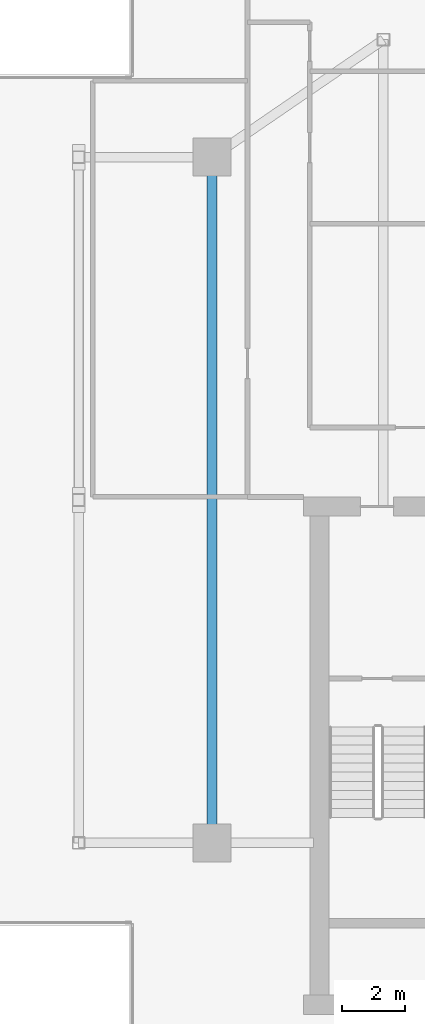
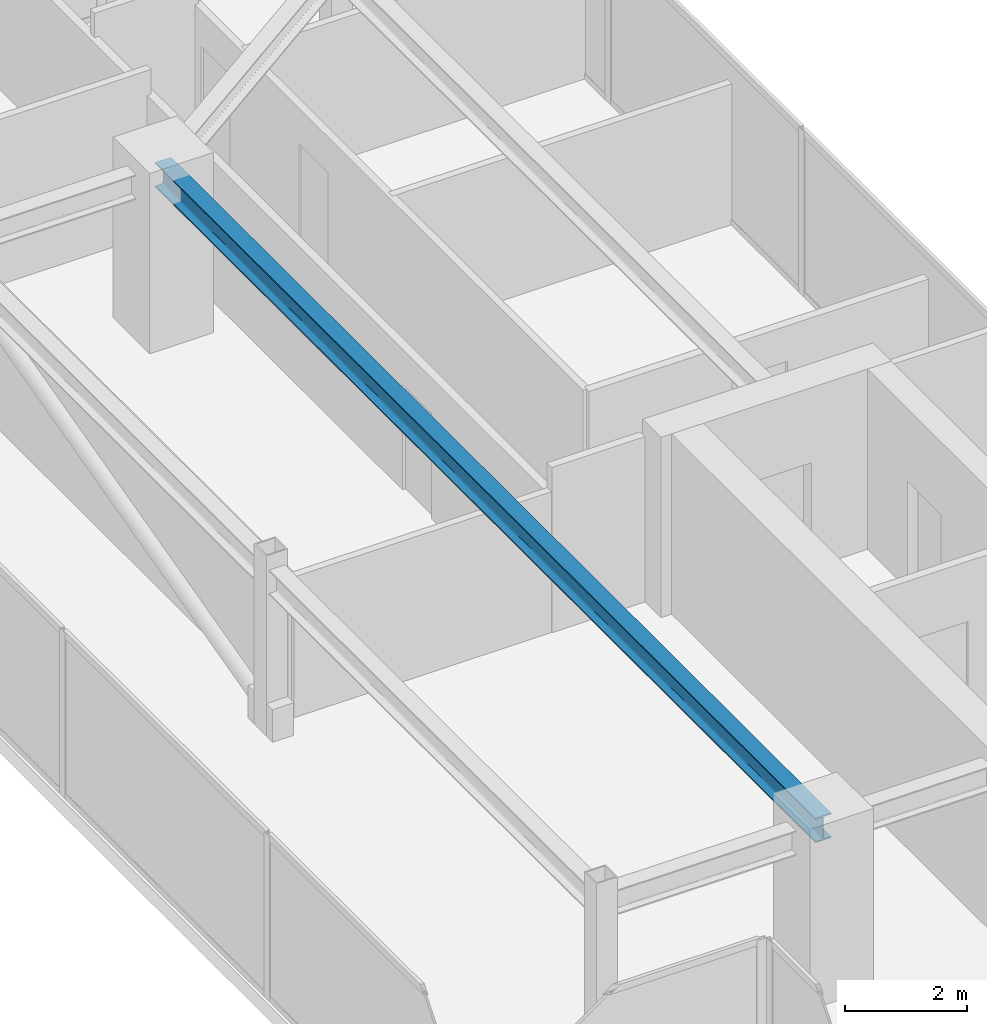
# One storey, part 8 of 16: 1 beam.
"""IFC4 building model written with IfcOpenShell, lengths in metres."""

from ifc_helpers import new_model, si_unit, direction, frame, origin, origin_2d, place, context, subcontext, project, spatial, i_section, extrude, source, transform, mapped, material, material_profile, profile_set, type_object, type_shapes, element, save


model = new_model("IFC4")

# Units and contexts
model_context = context("Model", 3, precision=1e-05, world=origin(), true_north=direction((0.0, 1.0)))
body_context = subcontext(model_context, "Body", "Model", "MODEL_VIEW")
ifc_project = project(units=[si_unit("LENGTHUNIT", "METRE"), si_unit("AREAUNIT", "SQUARE_METRE"), si_unit("VOLUMEUNIT", "CUBIC_METRE"), si_unit("PLANEANGLEUNIT", "RADIAN"), si_unit("MASSUNIT", "GRAM", prefix="KILO")], contexts=[model_context])

# Site, building, storey
site_placement = place(None, origin())
site = spatial("IfcSite", under=ifc_project, at=site_placement, CompositionType="ELEMENT")
building_placement = place(site_placement, origin())
building = spatial("IfcBuilding", under=site, at=building_placement, Name="Krantzveldt Concourse Tower", CompositionType="ELEMENT")
storey_placement = place(building_placement, frame((0.0, 0.0, 381.85009765625)))
storey = spatial("IfcBuildingStorey", under=building, at=storey_placement, Name="L94", CompositionType="ELEMENT", Elevation=381.85009765625)

# Beam
ifc_material = material(Name="Steel S355JR", Category="steel")
ifc_material_profile = material_profile(ifc_material, i_section(OverallWidth=0.300048828125, OverallDepth=0.489990234375, WebThickness=0.011962890625, FlangeThickness=0.02294921875, FilletRadius=0.027099609375, at=origin_2d()), Name="Steel S355JR", Category="steel")
ifc_profile_set = profile_set([ifc_material_profile], Name="Steel S355JR - HEA 500")
beam_type = type_object("IfcBeamType", Name="BM-B-HEA500", PredefinedType="BEAM", material=ifc_profile_set)
shared_shape = source(origin(), body_context, "Body", "SweptSolid", [
    extrude(i_section(OverallWidth=0.300048828125, OverallDepth=0.489990234375, WebThickness=0.011962890625, FlangeThickness=0.02294921875, FilletRadius=0.027099609375, at=origin_2d()), origin(), (0.0, 0.0, 1.0), 21.60009765625),
])
type_shapes(beam_type, [shared_shape])
beam_placement = place(storey_placement, frame((25.199951171875, 15.89990234375, 3.054931640625), z_axis=(0.0, 1.0, 0.0), x_axis=(-1.0, 0.0, 0.0)))
element("IfcBeam", 1, at=beam_placement, inside=storey, type_object=beam_type, Name="L94 Crown Girder WEST-8", PredefinedType="BEAM", context=body_context, shape_type="MappedRepresentation", body=[
    mapped(shared_shape, transform((0.0, 0.0, 0.0), x_axis=(1.0, 0.0, 0.0), y_axis=(0.0, 1.0, 0.0), z_axis=(0.0, 0.0, 1.0), scale=1.0)),
])

save(model, "model.ifc")
